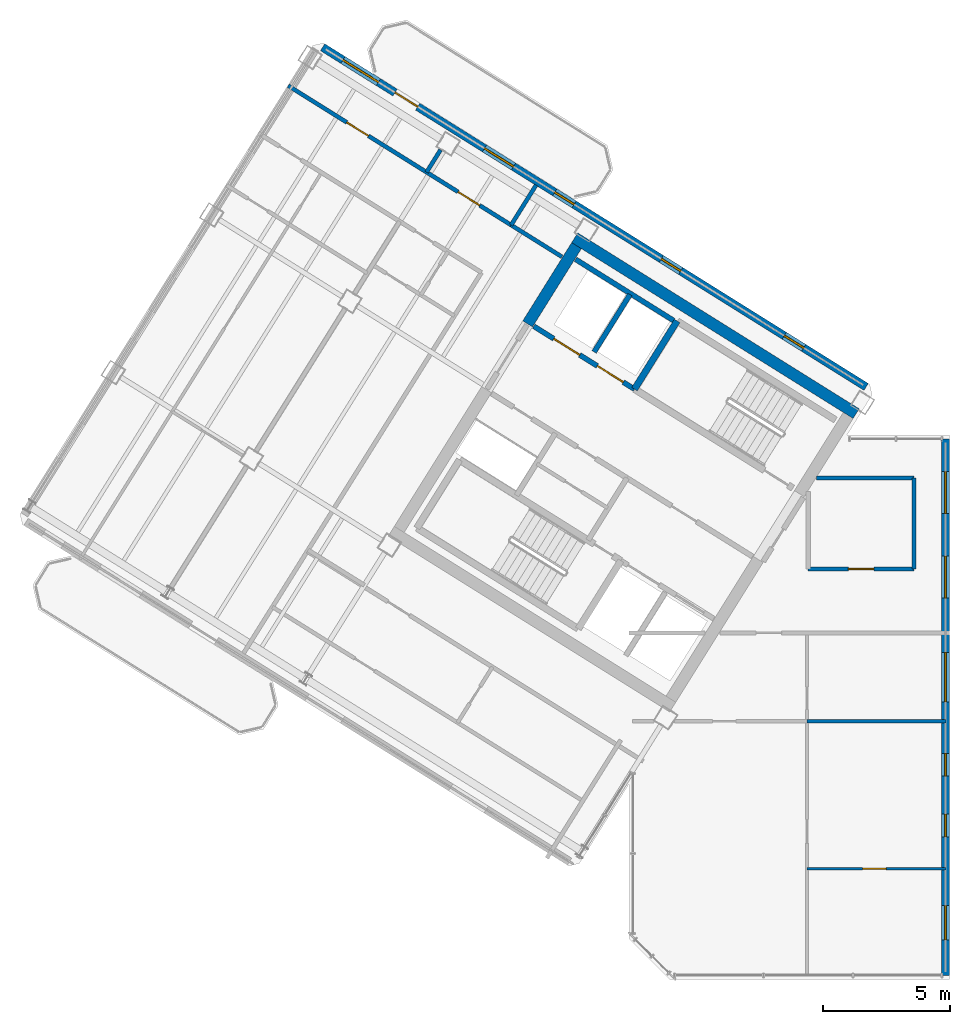
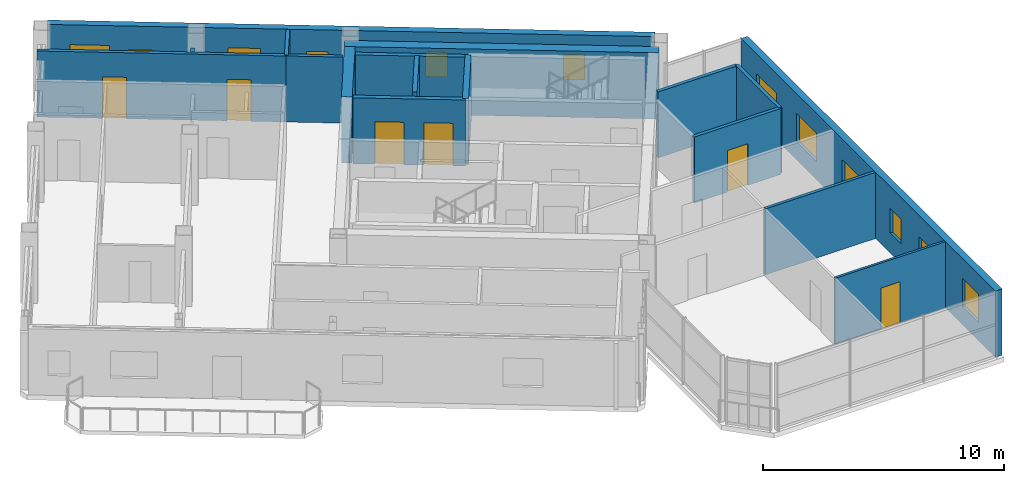
# One storey, part 9 of 14: 17 walls, 11 windows, 7 doors, 18 openings.
"""IFC4 building model written with IfcOpenShell, lengths in metres."""

from ifc_helpers import new_model, si_unit, direction, frame, frame_2d, origin, place, context, subcontext, project, spatial, rectangle, extrude, source, transform, mapped, material, layer, layer_set, type_object, element, fill, save


model = new_model("IFC4")

# Units and contexts
model_context = context("Model", 3, precision=1e-05, world=origin(), true_north=direction((0.0, 1.0)))
body_context = subcontext(model_context, "Body", "Model", "MODEL_VIEW")
ifc_project = project(units=[si_unit("LENGTHUNIT", "METRE"), si_unit("AREAUNIT", "SQUARE_METRE"), si_unit("VOLUMEUNIT", "CUBIC_METRE"), si_unit("PLANEANGLEUNIT", "RADIAN"), si_unit("MASSUNIT", "GRAM", prefix="KILO")], contexts=[model_context])

# Site, building, storey
site_placement = place(None, origin())
site = spatial("IfcSite", under=ifc_project, at=site_placement, CompositionType="ELEMENT")
building_placement = place(site_placement, origin())
building = spatial("IfcBuilding", under=site, at=building_placement, Name="Tlacorven Tower", CompositionType="ELEMENT")
storey_placement = place(building_placement, frame((0.0, 0.0, 284.39990234375)))
storey = spatial("IfcBuildingStorey", under=building, at=storey_placement, Name="L72", CompositionType="ELEMENT", Elevation=284.39990234375)

# Walls
ifc_material_1 = material(Name="Concrete C50/60", Category="concrete")
ifc_layer_1 = layer(ifc_material_1, 0.449951171875)
ifc_layer_set_1 = layer_set([ifc_layer_1], Name="Concrete C50/60")
wall_type_1 = type_object("IfcWallType", Name="WL-COR-450", PredefinedType="SHEAR", material=ifc_layer_set_1)
wall_1_placement = place(storey_placement, frame((40.53076171875, 24.036376953125, 0.0), z_axis=(0.0, 0.0, 1.0), x_axis=(-0.848048787466, 0.529918157905, 0.0)))
element("IfcWall", 1, at=wall_1_placement, inside=storey, type_object=wall_type_1, Name="L72 W core shear wall S1", PredefinedType="SHEAR", context=body_context, shape_type="SweptSolid", body=[
    extrude(rectangle(XDim=13.0400390625, YDim=0.449951171875, at=frame_2d((6.52001953125, 0.0))), origin(), (0.0, 0.0, 1.0), 3.35009765625),
])
wall_2_placement = place(storey_placement, frame((29.543701171875, 30.636474609375, 0.0), z_axis=(0.0, 0.0, 1.0), x_axis=(-0.529902075036, -0.848058836916, 0.0)))
element("IfcWall", 2, at=wall_2_placement, inside=storey, type_object=wall_type_1, Name="L72 W core end wall E2.1", PredefinedType="SHEAR", context=body_context, shape_type="SweptSolid", body=[
    extrude(rectangle(XDim=3.625, YDim=0.449951171875, at=frame_2d((1.8125, 0.0))), origin(), (0.0, 0.0, 1.0), 3.35009765625),
])
ifc_material_2 = material(Name="Gypsum plasterboard acoustic partition", Category="gypsum")
ifc_layer_2 = layer(ifc_material_2, 0.159912109375)
ifc_layer_set_2 = layer_set([ifc_layer_2], Name="Gypsum plasterboard acoustic partition")
wall_type_2 = type_object("IfcWallType", Name="WL-DEM-160", PredefinedType="PARTITIONING", material=ifc_layer_set_2)
wall_3_placement = place(storey_placement, frame((28.972412109375, 30.197509765625, 0.0), z_axis=(0.0, 0.0, 1.0), x_axis=(-0.848015752453, 0.529971021464, 0.0)))
element("IfcWall", 3, at=wall_3_placement, inside=storey, type_object=wall_type_2, Name="L72 partition 20", PredefinedType="PARTITIONING", context=body_context, shape_type="SweptSolid", body=[
    extrude(rectangle(XDim=2.358154296875, YDim=0.159912109375, at=frame_2d((1.17919921875, 0.0))), origin(), (0.0, 0.0, 1.0), 3.340087890625),
])
wall_4_placement = place(storey_placement, frame((27.952880859375, 33.01611328125, 0.0), z_axis=(0.0, 0.0, 1.0), x_axis=(-0.529880305451, -0.848072439061, 0.0)))
element("IfcWall", 4, at=wall_4_placement, inside=storey, type_object=wall_type_2, Name="L72 partition 22", PredefinedType="PARTITIONING", context=body_context, shape_type="SweptSolid", body=[
    extrude(rectangle(XDim=1.849853515625, YDim=0.159912109375, at=frame_2d((0.9248046875, 0.0))), origin(), (0.0, 0.0, 1.0), 3.340087890625),
])

# Wall, openings, doors
wall_5_placement = place(storey_placement, frame((26.97265625, 31.447265625, 0.0), z_axis=(0.0, 0.0, 1.0), x_axis=(-0.84805406617, 0.529909710094, 0.0)))
wall_5 = element("IfcWall", 5, at=wall_5_placement, inside=storey, type_object=wall_type_2, Name="L72 Wing W Corridor South Wall", PredefinedType="PARTITIONING", context=body_context, shape_type="SweptSolid", body=[
    extrude(rectangle(XDim=10.329833984375, YDim=0.159912109375, at=frame_2d((5.1650390625, 0.0))), origin(), (0.0, 0.0, 1.0), 3.340087890625),
])
opening_1_placement = place(wall_5_placement, frame((1.458984375, 0.0, 0.0)))
opening_1 = element("IfcOpeningElement", 6, at=opening_1_placement, cuts=wall_5, Name="Opening D11", PredefinedType="OPENING", context=body_context, shape_type="SweptSolid", body=[
    extrude(rectangle(XDim=1.0, YDim=2.10009765625, at=frame_2d((0.5, 1.050048828125))), frame((0.0, 0.08984375, 0.0), z_axis=(0.0, -1.0, 0.0), x_axis=(1.0, 0.0, 0.0)), (0.0, 0.0, 1.0), 0.179931640625),
])
opening_2_placement = place(wall_5_placement, frame((6.614013671875, 0.0, 0.0)))
opening_2 = element("IfcOpeningElement", 7, at=opening_2_placement, cuts=wall_5, Name="Opening D11", PredefinedType="OPENING", context=body_context, shape_type="SweptSolid", body=[
    extrude(rectangle(XDim=1.0, YDim=2.10009765625, at=frame_2d((0.5, 1.050048828125))), frame((0.0, 0.08984375, 0.0), z_axis=(0.0, -1.0, 0.0), x_axis=(1.0, 0.0, 0.0)), (0.0, 0.0, 1.0), 0.179931640625),
])
ifc_material_3 = material(Name="Fire-rated steel door assembly", Category="steel")
door_type_1 = type_object("IfcDoorType", Name="DR-FLT-FD60-1000", OperationType="NOTDEFINED", PredefinedType="DOOR", material=ifc_material_3)
shared_shape_1 = source(origin(), body_context, "Body", "SweptSolid", [
    extrude(rectangle(XDim=1.0, YDim=2.10009765625, at=frame_2d((0.5, 1.050048828125))), frame((0.0, 0.02490234375, 0.0), z_axis=(0.0, -1.0, 0.0), x_axis=(1.0, 0.0, 0.0)), (0.0, 0.0, 1.0), 0.050048828125),
])
door_1_placement = place(opening_1_placement, frame((1.0, 0.0, 0.0), z_axis=(0.0, 0.0, 1.0), x_axis=(-1.0, 0.0, 0.0)))
door_1 = element("IfcDoor", 8, at=door_1_placement, inside=storey, type_object=door_type_1, Name="L72 door 021", OperationType="SINGLE_SWING_LEFT", OverallHeight=2.10009765625, OverallWidth=1.0, PredefinedType="DOOR", context=body_context, shape_type="MappedRepresentation", body=[
    mapped(shared_shape_1, transform((0.0, 0.0, 0.0), scale=1.0)),
])
fill(opening_1, door_1)
door_2_placement = place(opening_2_placement, frame((1.0, 0.0, 0.0), z_axis=(0.0, 0.0, 1.0), x_axis=(-1.0, 0.0, 0.0)))
door_2 = element("IfcDoor", 9, at=door_2_placement, inside=storey, type_object=door_type_1, Name="L72 door 022", OperationType="SINGLE_SWING_RIGHT", OverallHeight=2.10009765625, OverallWidth=1.0, PredefinedType="DOOR", context=body_context, shape_type="MappedRepresentation", body=[
    mapped(shared_shape_1, transform((0.0, 0.0, 0.0), scale=1.0)),
])
fill(opening_2, door_2)

# Wall
wall_6_placement = place(storey_placement, frame((24.199951171875, 34.403564453125, 0.0), z_axis=(0.0, 0.0, 1.0), x_axis=(-0.529977795385, -0.848011519025, 0.0)))
element("IfcWall", 10, at=wall_6_placement, inside=storey, type_object=wall_type_2, Name="L72 partition 34", PredefinedType="PARTITIONING", context=body_context, shape_type="SweptSolid", body=[
    extrude(rectangle(XDim=1.037841796875, YDim=0.159912109375, at=frame_2d((0.51904296875, 0.0))), origin(), (0.0, 0.0, 1.0), 2.875),
])

# Wall, opening, door
wall_7_placement = place(storey_placement, frame((38.64990234375, 17.929931640625, 0.0), z_axis=(0.0, 0.0, 1.0), x_axis=(1.0, 0.0, 0.0)))
wall_7 = element("IfcWall", 11, at=wall_7_placement, inside=storey, type_object=wall_type_2, Name="L72 partition 41", PredefinedType="PARTITIONING", context=body_context, shape_type="SweptSolid", body=[
    extrude(rectangle(XDim=4.150146484375, YDim=0.159912109375, at=frame_2d((2.0751953125, 0.0))), origin(), (0.0, 0.0, 1.0), 3.340087890625),
])
opening_3_placement = place(wall_7_placement, frame((1.574951171875, 0.0, 0.0)))
opening_3 = element("IfcOpeningElement", 12, at=opening_3_placement, cuts=wall_7, Name="Opening D11", PredefinedType="OPENING", context=body_context, shape_type="SweptSolid", body=[
    extrude(rectangle(XDim=1.0, YDim=2.10009765625, at=frame_2d((0.5, 1.050048828125))), frame((0.0, 0.08984375, 0.0), z_axis=(0.0, -1.0, 0.0), x_axis=(1.0, 0.0, 0.0)), (0.0, 0.0, 1.0), 0.179931640625),
])
door_3_placement = place(opening_3_placement, origin())
door_3 = element("IfcDoor", 13, at=door_3_placement, inside=storey, type_object=door_type_1, Name="L72 door 026", OperationType="SINGLE_SWING_RIGHT", OverallHeight=2.10009765625, OverallWidth=1.0, PredefinedType="DOOR", context=body_context, shape_type="MappedRepresentation", body=[
    mapped(shared_shape_1, transform((0.0, 0.0, 0.0), scale=1.0)),
])
fill(opening_3, door_3)

# Walls
wall_8_placement = place(storey_placement, frame((42.800048828125, 17.929931640625, 0.0), z_axis=(0.0, 0.0, 1.0), x_axis=(0.0, 1.0, 0.0)))
element("IfcWall", 14, at=wall_8_placement, inside=storey, type_object=wall_type_2, Name="L72 partition 43", PredefinedType="PARTITIONING", context=body_context, shape_type="SweptSolid", body=[
    extrude(rectangle(XDim=3.570068359375, YDim=0.159912109375, at=frame_2d((1.78515625, 0.0))), origin(), (0.0, 0.0, 1.0), 3.340087890625),
])
wall_9_placement = place(storey_placement, frame((38.9775390625, 21.5, 0.0), z_axis=(0.0, 0.0, 1.0), x_axis=(1.0, 0.0, 0.0)))
element("IfcWall", 15, at=wall_9_placement, inside=storey, type_object=wall_type_2, Name="L72 partition 44", PredefinedType="PARTITIONING", context=body_context, shape_type="SweptSolid", body=[
    extrude(rectangle(XDim=3.822509765625, YDim=0.159912109375, at=frame_2d((1.9111328125, 0.0))), origin(), (0.0, 0.0, 1.0), 3.340087890625),
])

# Wall, openings, windows
ifc_material_4 = material(Name="Precast concrete C45/55", Category="concrete")
ifc_layer_3 = layer(ifc_material_4, 0.320068359375)
ifc_layer_set_3 = layer_set([ifc_layer_3], Name="Precast concrete C45/55")
wall_type_3 = type_object("IfcWallType", Name="WL-EXT-320", PredefinedType="STANDARD", material=ifc_layer_set_3)
wall_10_placement = place(storey_placement, frame((44.0400390625, 23.0400390625, 0.0), z_axis=(0.0, 0.0, 1.0), x_axis=(0.0, -1.0, 0.0)))
wall_10 = element("IfcWall", 16, at=wall_10_placement, inside=storey, type_object=wall_type_3, Name="L72 Masonry-Frame Recessed Facade Wall 1", PredefinedType="STANDARD", context=body_context, shape_type="SweptSolid", body=[
    extrude(rectangle(XDim=21.080078125, YDim=0.320068359375, at=frame_2d((10.5400390625, 0.0))), origin(), (0.0, 0.0, 1.0), 3.35009765625),
])
opening_4_placement = place(wall_10_placement, frame((1.284912109375, 0.0, 0.89990234375)))
opening_4 = element("IfcOpeningElement", 17, at=opening_4_placement, cuts=wall_10, Name="Opening WN07", PredefinedType="OPENING", context=body_context, shape_type="SweptSolid", body=[
    extrude(rectangle(XDim=1.64990234375, YDim=1.449951171875, at=frame_2d((0.824951171875, 0.72509765625))), frame((0.0, 0.169921875, 0.0), z_axis=(0.0, -1.0, 0.0), x_axis=(1.0, 0.0, 0.0)), (0.0, 0.0, 1.0), 0.340087890625),
])
opening_5_placement = place(wall_10_placement, frame((4.60498046875, 0.0, 0.89990234375)))
opening_5 = element("IfcOpeningElement", 18, at=opening_5_placement, cuts=wall_10, Name="Opening WN07", PredefinedType="OPENING", context=body_context, shape_type="SweptSolid", body=[
    extrude(rectangle(XDim=1.64990234375, YDim=1.449951171875, at=frame_2d((0.824951171875, 0.72509765625))), frame((0.0, 0.169921875, 0.0), z_axis=(0.0, -1.0, 0.0), x_axis=(1.0, 0.0, 0.0)), (0.0, 0.0, 1.0), 0.340087890625),
])
opening_6_placement = place(wall_10_placement, frame((8.385009765625, 0.0, 0.949951171875)))
opening_6 = element("IfcOpeningElement", 19, at=opening_6_placement, cuts=wall_10, Name="Opening WN09", PredefinedType="OPENING", context=body_context, shape_type="SweptSolid", body=[
    extrude(rectangle(XDim=1.949951171875, YDim=1.35009765625, at=frame_2d((0.97509765625, 0.675048828125))), frame((0.0, 0.169921875, 0.0), z_axis=(0.0, -1.0, 0.0), x_axis=(1.0, 0.0, 0.0)), (0.0, 0.0, 1.0), 0.340087890625),
])
opening_7_placement = place(wall_10_placement, frame((12.353759765625, 0.0, 1.0)))
opening_7 = element("IfcOpeningElement", 20, at=opening_7_placement, cuts=wall_10, Name="Opening WN05", PredefinedType="OPENING", context=body_context, shape_type="SweptSolid", body=[
    extrude(rectangle(XDim=0.89990234375, YDim=1.25, at=frame_2d((0.449951171875, 0.625))), frame((0.0, 0.169921875, 0.0), z_axis=(0.0, -1.0, 0.0), x_axis=(1.0, 0.0, 0.0)), (0.0, 0.0, 1.0), 0.340087890625),
])
opening_8_placement = place(wall_10_placement, frame((14.7412109375, 0.0, 1.0)))
opening_8 = element("IfcOpeningElement", 21, at=opening_8_placement, cuts=wall_10, Name="Opening WN05", PredefinedType="OPENING", context=body_context, shape_type="SweptSolid", body=[
    extrude(rectangle(XDim=0.89990234375, YDim=1.25, at=frame_2d((0.449951171875, 0.625))), frame((0.0, 0.169921875, 0.0), z_axis=(0.0, -1.0, 0.0), x_axis=(1.0, 0.0, 0.0)), (0.0, 0.0, 1.0), 0.340087890625),
])
opening_9_placement = place(wall_10_placement, frame((18.33740234375, 0.0, 0.89990234375)))
opening_9 = element("IfcOpeningElement", 22, at=opening_9_placement, cuts=wall_10, Name="Opening WN08", PredefinedType="OPENING", context=body_context, shape_type="SweptSolid", body=[
    extrude(rectangle(XDim=1.35009765625, YDim=1.449951171875, at=frame_2d((0.675048828125, 0.72509765625))), frame((0.0, 0.169921875, 0.0), z_axis=(0.0, -1.0, 0.0), x_axis=(1.0, 0.0, 0.0)), (0.0, 0.0, 1.0), 0.340087890625),
])
ifc_material_5 = material(Name="Dark solar low-E double glazing in anodised aluminium frame", Category="aluminium")
window_type_1 = type_object("IfcWindowType", Name="WN-APT-0900X1350", PartitioningType="SINGLE_PANEL", PredefinedType="WINDOW", material=ifc_material_5)
shared_shape_2 = source(origin(), body_context, "Body", "SweptSolid", [
    extrude(rectangle(XDim=0.89990234375, YDim=1.25, at=frame_2d((0.449951171875, 0.625))), frame((0.0, 0.030029296875, 0.0), z_axis=(0.0, -1.0, 0.0), x_axis=(1.0, 0.0, 0.0)), (0.0, 0.0, 1.0), 0.06005859375),
])
window_1_placement = place(opening_7_placement, origin())
window_1 = element("IfcWindow", 23, at=window_1_placement, inside=storey, type_object=window_type_1, Name="L72 Recessed Masonry-Frame Window L72-01.4", OverallHeight=1.25, OverallWidth=0.89990234375, PartitioningType="SINGLE_PANEL", PredefinedType="WINDOW", context=body_context, shape_type="MappedRepresentation", body=[
    mapped(shared_shape_2, transform((0.0, 0.0, 0.0), scale=1.0)),
])
fill(opening_7, window_1)
window_2_placement = place(opening_8_placement, origin())
window_2 = element("IfcWindow", 24, at=window_2_placement, inside=storey, type_object=window_type_1, Name="L72 Recessed Masonry-Frame Window L72-01.5", OverallHeight=1.25, OverallWidth=0.89990234375, PartitioningType="SINGLE_PANEL", PredefinedType="WINDOW", context=body_context, shape_type="MappedRepresentation", body=[
    mapped(shared_shape_2, transform((0.0, 0.0, 0.0), scale=1.0)),
])
fill(opening_8, window_2)
window_type_2 = type_object("IfcWindowType", Name="WN-APT-1650X1600", PartitioningType="SINGLE_PANEL", PredefinedType="WINDOW", material=ifc_material_5)
shared_shape_3 = source(origin(), body_context, "Body", "SweptSolid", [
    extrude(rectangle(XDim=1.64990234375, YDim=1.449951171875, at=frame_2d((0.824951171875, 0.72509765625))), frame((0.0, 0.030029296875, 0.0), z_axis=(0.0, -1.0, 0.0), x_axis=(1.0, 0.0, 0.0)), (0.0, 0.0, 1.0), 0.06005859375),
])
window_3_placement = place(opening_4_placement, origin())
window_3 = element("IfcWindow", 25, at=window_3_placement, inside=storey, type_object=window_type_2, Name="L72 Recessed Masonry-Frame Window L72-01.1", OverallHeight=1.449951171875, OverallWidth=1.64990234375, PartitioningType="SINGLE_PANEL", PredefinedType="WINDOW", context=body_context, shape_type="MappedRepresentation", body=[
    mapped(shared_shape_3, transform((0.0, 0.0, 0.0), scale=1.0)),
])
fill(opening_4, window_3)
window_4_placement = place(opening_5_placement, origin())
window_4 = element("IfcWindow", 26, at=window_4_placement, inside=storey, type_object=window_type_2, Name="L72 Recessed Masonry-Frame Window L72-01.2", OverallHeight=1.449951171875, OverallWidth=1.64990234375, PartitioningType="SINGLE_PANEL", PredefinedType="WINDOW", context=body_context, shape_type="MappedRepresentation", body=[
    mapped(shared_shape_3, transform((0.0, 0.0, 0.0), scale=1.0)),
])
fill(opening_5, window_4)
window_type_3 = type_object("IfcWindowType", Name="WN-APT-1350X1550", PartitioningType="SINGLE_PANEL", PredefinedType="WINDOW", material=ifc_material_5)
shared_shape_4 = source(origin(), body_context, "Body", "SweptSolid", [
    extrude(rectangle(XDim=1.35009765625, YDim=1.449951171875, at=frame_2d((0.675048828125, 0.72509765625))), frame((0.0, 0.030029296875, 0.0), z_axis=(0.0, -1.0, 0.0), x_axis=(1.0, 0.0, 0.0)), (0.0, 0.0, 1.0), 0.06005859375),
])
window_5_placement = place(opening_9_placement, origin())
window_5 = element("IfcWindow", 27, at=window_5_placement, inside=storey, type_object=window_type_3, Name="L72 Recessed Masonry-Frame Window L72-01.6", OverallHeight=1.449951171875, OverallWidth=1.35009765625, PartitioningType="SINGLE_PANEL", PredefinedType="WINDOW", context=body_context, shape_type="MappedRepresentation", body=[
    mapped(shared_shape_4, transform((0.0, 0.0, 0.0), scale=1.0)),
])
fill(opening_9, window_5)
window_type_4 = type_object("IfcWindowType", Name="WN-GAL-1950X1450", PartitioningType="SINGLE_PANEL", PredefinedType="WINDOW", material=ifc_material_5)
shared_shape_5 = source(origin(), body_context, "Body", "SweptSolid", [
    extrude(rectangle(XDim=1.949951171875, YDim=1.35009765625, at=frame_2d((0.97509765625, 0.675048828125))), frame((0.0, 0.030029296875, 0.0), z_axis=(0.0, -1.0, 0.0), x_axis=(1.0, 0.0, 0.0)), (0.0, 0.0, 1.0), 0.06005859375),
])
window_6_placement = place(opening_6_placement, origin())
window_6 = element("IfcWindow", 28, at=window_6_placement, inside=storey, type_object=window_type_4, Name="L72 Recessed Masonry-Frame Window L72-01.3", OverallHeight=1.35009765625, OverallWidth=1.949951171875, PartitioningType="SINGLE_PANEL", PredefinedType="WINDOW", context=body_context, shape_type="MappedRepresentation", body=[
    mapped(shared_shape_5, transform((0.0, 0.0, 0.0), scale=1.0)),
])
fill(opening_6, window_6)

# Wall, openings, door, windows
wall_11_placement = place(storey_placement, frame((19.56591796875, 38.433837890625, 0.0), z_axis=(0.0, 0.0, 1.0), x_axis=(0.84804567626, -0.529923136858, 0.0)))
wall_11 = element("IfcWall", 29, at=wall_11_placement, inside=storey, type_object=wall_type_3, Name="L72 Masonry-Frame Recessed Facade Wall 4", PredefinedType="STANDARD", context=body_context, shape_type="SweptSolid", body=[
    extrude(rectangle(XDim=25.1875, YDim=0.320068359375, at=frame_2d((12.59375, 0.0))), origin(), (0.0, 0.0, 1.0), 3.35009765625),
])
opening_10_placement = place(wall_11_placement, frame((3.355224609375, 0.0, 0.0)))
opening_10 = element("IfcOpeningElement", 30, at=opening_10_placement, cuts=wall_11, Name="Opening D06", PredefinedType="OPENING", context=body_context, shape_type="SweptSolid", body=[
    extrude(rectangle(XDim=1.050048828125, YDim=2.14990234375, at=frame_2d((0.52490234375, 1.074951171875))), frame((0.0, 0.169921875, 0.0), z_axis=(0.0, -1.0, 0.0), x_axis=(1.0, 0.0, 0.0)), (0.0, 0.0, 1.0), 0.340087890625),
])
opening_11_placement = place(wall_11_placement, frame((0.939453125, 0.0, 0.89990234375)))
opening_11 = element("IfcOpeningElement", 31, at=opening_11_placement, cuts=wall_11, Name="Opening WN07", PredefinedType="OPENING", context=body_context, shape_type="SweptSolid", body=[
    extrude(rectangle(XDim=1.64990234375, YDim=1.449951171875, at=frame_2d((0.824951171875, 0.72509765625))), frame((0.0, 0.169921875, 0.0), z_axis=(0.0, -1.0, 0.0), x_axis=(1.0, 0.0, 0.0)), (0.0, 0.0, 1.0), 0.340087890625),
])
opening_12_placement = place(wall_11_placement, frame((7.498779296875, 0.0, 0.89990234375)))
opening_12 = element("IfcOpeningElement", 32, at=opening_12_placement, cuts=wall_11, Name="Opening WN08", PredefinedType="OPENING", context=body_context, shape_type="SweptSolid", body=[
    extrude(rectangle(XDim=1.35009765625, YDim=1.449951171875, at=frame_2d((0.675048828125, 0.72509765625))), frame((0.0, 0.169921875, 0.0), z_axis=(0.0, -1.0, 0.0), x_axis=(1.0, 0.0, 0.0)), (0.0, 0.0, 1.0), 0.340087890625),
])
opening_13_placement = place(wall_11_placement, frame((10.753662109375, 0.0, 1.0)))
opening_13 = element("IfcOpeningElement", 33, at=opening_13_placement, cuts=wall_11, Name="Opening WN05", PredefinedType="OPENING", context=body_context, shape_type="SweptSolid", body=[
    extrude(rectangle(XDim=0.89990234375, YDim=1.25, at=frame_2d((0.449951171875, 0.625))), frame((0.0, 0.169921875, 0.0), z_axis=(0.0, -1.0, 0.0), x_axis=(1.0, 0.0, 0.0)), (0.0, 0.0, 1.0), 0.340087890625),
])
opening_14_placement = place(wall_11_placement, frame((15.693603515625, 0.0, 1.0)))
opening_14 = element("IfcOpeningElement", 34, at=opening_14_placement, cuts=wall_11, Name="Opening WN05", PredefinedType="OPENING", context=body_context, shape_type="SweptSolid", body=[
    extrude(rectangle(XDim=0.89990234375, YDim=1.25, at=frame_2d((0.449951171875, 0.625))), frame((0.0, 0.169921875, 0.0), z_axis=(0.0, -1.0, 0.0), x_axis=(1.0, 0.0, 0.0)), (0.0, 0.0, 1.0), 0.340087890625),
])
opening_15_placement = place(wall_11_placement, frame((21.393798828125, 0.0, 1.0)))
opening_15 = element("IfcOpeningElement", 35, at=opening_15_placement, cuts=wall_11, Name="Opening WN05", PredefinedType="OPENING", context=body_context, shape_type="SweptSolid", body=[
    extrude(rectangle(XDim=0.89990234375, YDim=1.25, at=frame_2d((0.449951171875, 0.625))), frame((0.0, 0.169921875, 0.0), z_axis=(0.0, -1.0, 0.0), x_axis=(1.0, 0.0, 0.0)), (0.0, 0.0, 1.0), 0.340087890625),
])
ifc_material_6 = material(Name="Powder-coated aluminium and timber door", Category="wood")
door_type_2 = type_object("IfcDoorType", Name="DR-EXT-BALC-1050", OperationType="NOTDEFINED", PredefinedType="DOOR", material=ifc_material_6)
shared_shape_6 = source(origin(), body_context, "Body", "SweptSolid", [
    extrude(rectangle(XDim=1.050048828125, YDim=2.14990234375, at=frame_2d((0.52490234375, 1.074951171875))), frame((0.0, 0.02490234375, 0.0), z_axis=(0.0, -1.0, 0.0), x_axis=(1.0, 0.0, 0.0)), (0.0, 0.0, 1.0), 0.050048828125),
])
door_4_placement = place(opening_10_placement, origin())
door_4 = element("IfcDoor", 36, at=door_4_placement, inside=storey, type_object=door_type_2, Name="L72 Outdoor Access Door BAL-L72-W-IN", OperationType="SINGLE_SWING_RIGHT", OverallHeight=2.14990234375, OverallWidth=1.050048828125, PredefinedType="DOOR", context=body_context, shape_type="MappedRepresentation", body=[
    mapped(shared_shape_6, transform((0.0, 0.0, 0.0), scale=1.0)),
])
fill(opening_10, door_4)
window_7_placement = place(opening_13_placement, origin())
window_7 = element("IfcWindow", 37, at=window_7_placement, inside=storey, type_object=window_type_1, Name="L72 Recessed Masonry-Frame Window L72-04.3", OverallHeight=1.25, OverallWidth=0.89990234375, PartitioningType="SINGLE_PANEL", PredefinedType="WINDOW", context=body_context, shape_type="MappedRepresentation", body=[
    mapped(shared_shape_2, transform((0.0, 0.0, 0.0), scale=1.0)),
])
fill(opening_13, window_7)
window_8_placement = place(opening_14_placement, origin())
window_8 = element("IfcWindow", 38, at=window_8_placement, inside=storey, type_object=window_type_1, Name="L72 Recessed Masonry-Frame Window L72-04.4", OverallHeight=1.25, OverallWidth=0.89990234375, PartitioningType="SINGLE_PANEL", PredefinedType="WINDOW", context=body_context, shape_type="MappedRepresentation", body=[
    mapped(shared_shape_2, transform((0.0, 0.0, 0.0), scale=1.0)),
])
fill(opening_14, window_8)
window_9_placement = place(opening_15_placement, origin())
window_9 = element("IfcWindow", 39, at=window_9_placement, inside=storey, type_object=window_type_1, Name="L72 Recessed Masonry-Frame Window L72-04.5", OverallHeight=1.25, OverallWidth=0.89990234375, PartitioningType="SINGLE_PANEL", PredefinedType="WINDOW", context=body_context, shape_type="MappedRepresentation", body=[
    mapped(shared_shape_2, transform((0.0, 0.0, 0.0), scale=1.0)),
])
fill(opening_15, window_9)
window_10_placement = place(opening_11_placement, origin())
window_10 = element("IfcWindow", 40, at=window_10_placement, inside=storey, type_object=window_type_2, Name="L72 Recessed Masonry-Frame Window L72-04.1", OverallHeight=1.449951171875, OverallWidth=1.64990234375, PartitioningType="SINGLE_PANEL", PredefinedType="WINDOW", context=body_context, shape_type="MappedRepresentation", body=[
    mapped(shared_shape_3, transform((0.0, 0.0, 0.0), scale=1.0)),
])
fill(opening_11, window_10)
window_11_placement = place(opening_12_placement, origin())
window_11 = element("IfcWindow", 41, at=window_11_placement, inside=storey, type_object=window_type_3, Name="L72 Recessed Masonry-Frame Window L72-04.2", OverallHeight=1.449951171875, OverallWidth=1.35009765625, PartitioningType="SINGLE_PANEL", PredefinedType="WINDOW", context=body_context, shape_type="MappedRepresentation", body=[
    mapped(shared_shape_4, transform((0.0, 0.0, 0.0), scale=1.0)),
])
fill(opening_12, window_11)

# Wall, opening, door
ifc_material_7 = material(Name="Gypsum plasterboard partition", Category="gypsum")
ifc_layer_4 = layer(ifc_material_7, 0.110107421875)
ifc_layer_set_4 = layer_set([ifc_layer_4], Name="Gypsum plasterboard partition")
wall_type_4 = type_object("IfcWallType", Name="WL-INT-110", PredefinedType="PARTITIONING", material=ifc_layer_set_4)
wall_12_placement = place(storey_placement, frame((38.60009765625, 6.14990234375, 0.0), z_axis=(0.0, 0.0, 1.0), x_axis=(1.0, 0.0, 0.0)))
wall_12 = element("IfcWall", 42, at=wall_12_placement, inside=storey, type_object=wall_type_4, Name="L72 partition 48", PredefinedType="PARTITIONING", context=body_context, shape_type="SweptSolid", body=[
    extrude(rectangle(XDim=5.4599609375, YDim=0.110107421875, at=frame_2d((2.72998046875, 0.0))), origin(), (0.0, 0.0, 1.0), 3.340087890625),
])
opening_16_placement = place(wall_12_placement, frame((2.18994140625, 0.0, 0.0)))
opening_16 = element("IfcOpeningElement", 43, at=opening_16_placement, cuts=wall_12, Name="Opening D12", PredefinedType="OPENING", context=body_context, shape_type="SweptSolid", body=[
    extrude(rectangle(XDim=0.919921875, YDim=2.080078125, at=frame_2d((0.4599609375, 1.0400390625))), frame((0.0, 0.06494140625, 0.0), z_axis=(0.0, -1.0, 0.0), x_axis=(1.0, 0.0, 0.0)), (0.0, 0.0, 1.0), 0.130126953125),
])
door_type_3 = type_object("IfcDoorType", Name="DR-INT-ROOM-0920", OperationType="NOTDEFINED", PredefinedType="DOOR", material=ifc_material_6)
shared_shape_7 = source(origin(), body_context, "Body", "SweptSolid", [
    extrude(rectangle(XDim=0.919921875, YDim=2.080078125, at=frame_2d((0.4599609375, 1.0400390625))), frame((0.0, 0.02490234375, 0.0), z_axis=(0.0, -1.0, 0.0), x_axis=(1.0, 0.0, 0.0)), (0.0, 0.0, 1.0), 0.050048828125),
])
door_5_placement = place(opening_16_placement, origin())
door_5 = element("IfcDoor", 44, at=door_5_placement, inside=storey, type_object=door_type_3, Name="L72 door 029", OperationType="SINGLE_SWING_RIGHT", OverallHeight=2.080078125, OverallWidth=0.919921875, PredefinedType="DOOR", context=body_context, shape_type="MappedRepresentation", body=[
    mapped(shared_shape_7, transform((0.0, 0.0, 0.0), scale=1.0)),
])
fill(opening_16, door_5)

# Wall
ifc_material_8 = material(Name="Moisture-resistant gypsum plumbing wall", Category="gypsum")
ifc_layer_5 = layer(ifc_material_8, 0.139892578125)
ifc_layer_set_5 = layer_set([ifc_layer_5], Name="Moisture-resistant gypsum plumbing wall")
wall_type_5 = type_object("IfcWallType", Name="WL-PLM-140", PredefinedType="PLUMBINGWALL", material=ifc_layer_set_5)
wall_13_placement = place(storey_placement, frame((38.60009765625, 11.949951171875, 0.0), z_axis=(0.0, 0.0, 1.0), x_axis=(1.0, 0.0, 0.0)))
element("IfcWall", 45, at=wall_13_placement, inside=storey, type_object=wall_type_5, Name="L72 partition 47", PredefinedType="PLUMBINGWALL", context=body_context, shape_type="SweptSolid", body=[
    extrude(rectangle(XDim=5.4599609375, YDim=0.139892578125, at=frame_2d((2.72998046875, 0.0))), origin(), (0.0, 0.0, 1.0), 3.340087890625),
])

# Wall, openings, doors
ifc_material_9 = material(Name="Concrete C40/50", Category="concrete")
ifc_layer_6 = layer(ifc_material_9, 0.199951171875)
ifc_layer_set_6 = layer_set([ifc_layer_6], Name="Concrete C40/50")
wall_type_6 = type_object("IfcWallType", Name="WL-SHF-200", PredefinedType="STANDARD", material=ifc_layer_set_6)
wall_14_placement = place(storey_placement, frame((31.82177734375, 24.99755859375, 0.0), z_axis=(0.0, 0.0, 1.0), x_axis=(-0.848054125777, 0.529909614701, 0.0)))
wall_14 = element("IfcWall", 46, at=wall_14_placement, inside=storey, type_object=wall_type_6, Name="L72 Core W South Lift Shaft Wall", PredefinedType="STANDARD", context=body_context, shape_type="SweptSolid", body=[
    extrude(rectangle(XDim=4.66796875, YDim=0.199951171875, at=frame_2d((2.333984375, 0.0))), origin(), (0.0, 0.0, 1.0), 3.340087890625),
])
opening_17_placement = place(wall_14_placement, frame((0.52001953125, 0.0, 0.0)))
opening_17 = element("IfcOpeningElement", 47, at=opening_17_placement, cuts=wall_14, Name="Opening LD02", PredefinedType="OPENING", context=body_context, shape_type="SweptSolid", body=[
    extrude(rectangle(XDim=1.199951171875, YDim=2.14990234375, at=frame_2d((0.60009765625, 1.074951171875))), frame((0.0, 0.10986328125, 0.0), z_axis=(0.0, -1.0, 0.0), x_axis=(1.0, 0.0, 0.0)), (0.0, 0.0, 1.0), 0.219970703125),
])
opening_18_placement = place(wall_14_placement, frame((2.5400390625, 0.0, 0.0)))
opening_18 = element("IfcOpeningElement", 48, at=opening_18_placement, cuts=wall_14, Name="Opening LD02", PredefinedType="OPENING", context=body_context, shape_type="SweptSolid", body=[
    extrude(rectangle(XDim=1.199951171875, YDim=2.14990234375, at=frame_2d((0.60009765625, 1.074951171875))), frame((0.0, 0.10986328125, 0.0), z_axis=(0.0, -1.0, 0.0), x_axis=(1.0, 0.0, 0.0)), (0.0, 0.0, 1.0), 0.219970703125),
])
door_type_4 = type_object("IfcDoorType", Name="DR-LFT-SLID-1200", OperationType="DOUBLE_DOOR_SLIDING", PredefinedType="DOOR", material=ifc_material_3)
shared_shape_8 = source(origin(), body_context, "Body", "SweptSolid", [
    extrude(rectangle(XDim=1.199951171875, YDim=2.14990234375, at=frame_2d((0.60009765625, 1.074951171875))), frame((0.0, 0.02490234375, 0.0), z_axis=(0.0, -1.0, 0.0), x_axis=(1.0, 0.0, 0.0)), (0.0, 0.0, 1.0), 0.050048828125),
])
door_6_placement = place(opening_17_placement, origin())
door_6 = element("IfcDoor", 49, at=door_6_placement, inside=storey, type_object=door_type_4, Name="L72 Lift PL-H1 Sliding Landing Door", OperationType="DOUBLE_DOOR_SLIDING", OverallHeight=2.14990234375, OverallWidth=1.199951171875, PredefinedType="DOOR", context=body_context, shape_type="MappedRepresentation", body=[
    mapped(shared_shape_8, transform((0.0, 0.0, 0.0), scale=1.0)),
])
fill(opening_17, door_6)
door_7_placement = place(opening_18_placement, origin())
door_7 = element("IfcDoor", 50, at=door_7_placement, inside=storey, type_object=door_type_4, Name="L72 Lift PL-H2 Sliding Landing Door", OperationType="DOUBLE_DOOR_SLIDING", OverallHeight=2.14990234375, OverallWidth=1.199951171875, PredefinedType="DOOR", context=body_context, shape_type="MappedRepresentation", body=[
    mapped(shared_shape_8, transform((0.0, 0.0, 0.0), scale=1.0)),
])
fill(opening_18, door_7)

# Walls
wall_15_placement = place(storey_placement, frame((31.645263671875, 28.716064453125, 0.0), z_axis=(0.0, 0.0, 1.0), x_axis=(-0.52986693015, -0.848080795876, 0.0)))
element("IfcWall", 51, at=wall_15_placement, inside=storey, type_object=wall_type_6, Name="L72 partition 12", PredefinedType="STANDARD", context=body_context, shape_type="SweptSolid", body=[
    extrude(rectangle(XDim=2.659912109375, YDim=0.199951171875, at=frame_2d((1.330078125, 0.0))), origin(), (0.0, 0.0, 1.0), 3.340087890625),
])
wall_16_placement = place(storey_placement, frame((33.362548828125, 27.690185546875, 0.0), z_axis=(0.0, 0.0, 1.0), x_axis=(-0.84804957148, 0.529916903215, 0.0)))
element("IfcWall", 52, at=wall_16_placement, inside=storey, type_object=wall_type_6, Name="L72 partition 14", PredefinedType="STANDARD", context=body_context, shape_type="SweptSolid", body=[
    extrude(rectangle(XDim=4.547607421875, YDim=0.199951171875, at=frame_2d((2.27392578125, 0.0))), origin(), (0.0, 0.0, 1.0), 3.340087890625),
])
ifc_layer_7 = layer(ifc_material_1, 0.260009765625)
ifc_layer_set_7 = layer_set([ifc_layer_7], Name="Concrete C50/60")
wall_type_7 = type_object("IfcWallType", Name="WL-STW-260", PredefinedType="SHEAR", material=ifc_layer_set_7)
wall_17_placement = place(storey_placement, frame((33.496337890625, 27.677490234375, 0.0), z_axis=(0.0, 0.0, 1.0), x_axis=(-0.529908658664, -0.84805472316, 0.0)))
element("IfcWall", 53, at=wall_17_placement, inside=storey, type_object=wall_type_7, Name="L72 Stair W2 East Shear Wall", PredefinedType="SHEAR", context=body_context, shape_type="SweptSolid", body=[
    extrude(rectangle(XDim=3.16015625, YDim=0.260009765625, at=frame_2d((1.580078125, 0.0))), origin(), (0.0, 0.0, 1.0), 3.35009765625),
])

save(model, "model.ifc")
